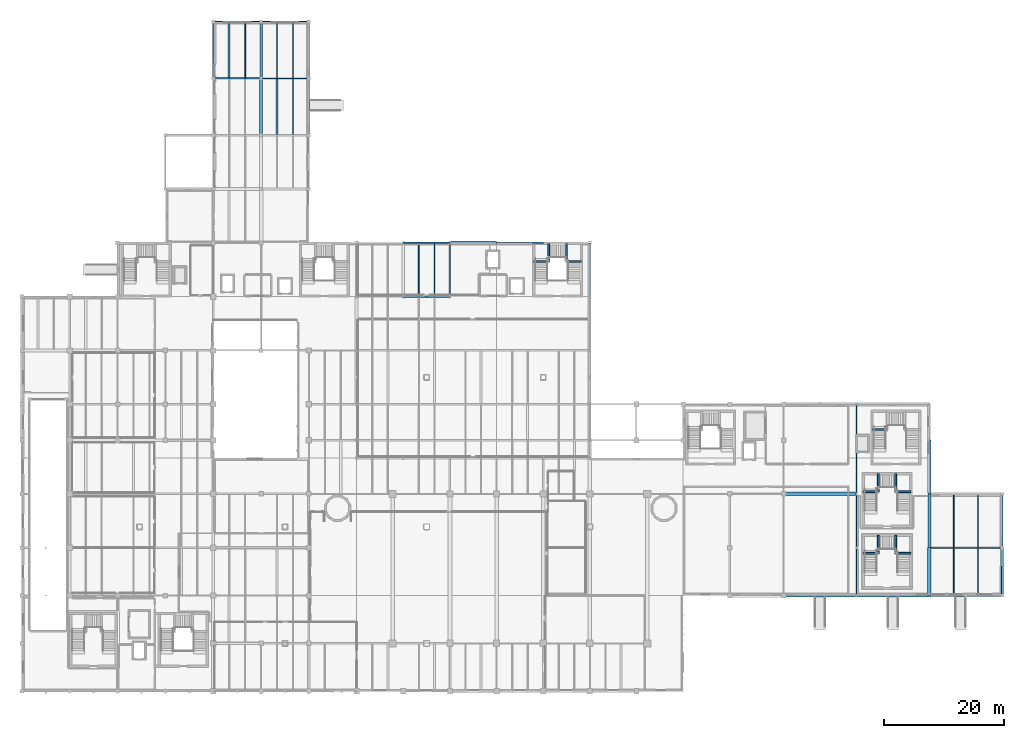
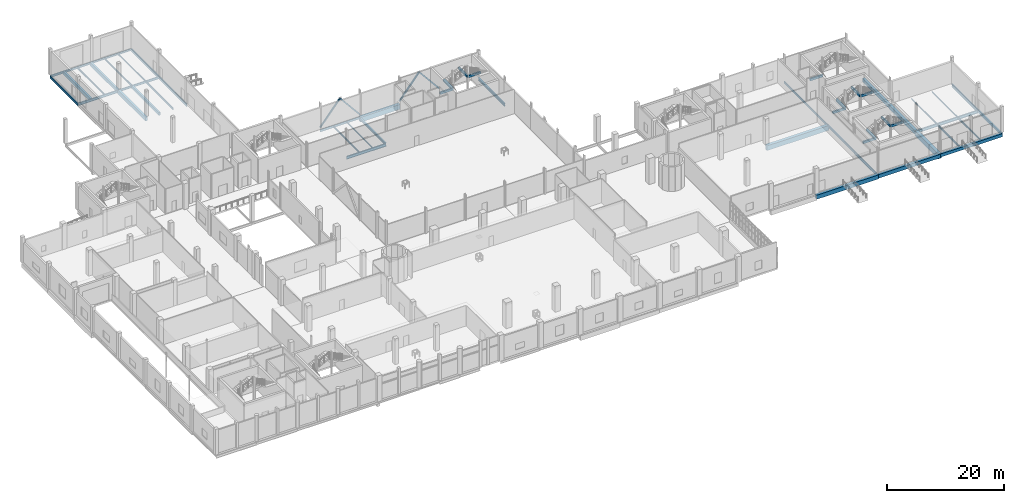
# One storey, part 28 of 57: 52 beams, 4 members.
"""IFC4 building model written with IfcOpenShell, lengths in metres."""

from ifc_helpers import new_model, si_unit, derived_unit, direction, frame, origin, origin_2d, place, context, subcontext, project, spatial, rectangle, hollow_rectangle, i_section, extrude, material, material_profile, profile_set, type_object, element, save


model = new_model("IFC4")

# Units and contexts
model_context = context("Model", 3, precision=1e-05, world=origin(), true_north=direction((0.0, 1.0)))
body_context = subcontext(model_context, "Body", "Model", "MODEL_VIEW")
ifc_project = project(units=[si_unit("LENGTHUNIT", "METRE"), si_unit("AREAUNIT", "SQUARE_METRE"), si_unit("VOLUMEUNIT", "CUBIC_METRE"), si_unit("PLANEANGLEUNIT", "RADIAN"), si_unit("MASSUNIT", "GRAM", prefix="KILO"), derived_unit("THERMALTRANSMITTANCEUNIT", [(si_unit("POWERUNIT", "WATT"), 1), (si_unit("LENGTHUNIT", "METRE"), -2), (si_unit("THERMODYNAMICTEMPERATUREUNIT", "KELVIN"), -1)])], contexts=[model_context])

# Site, building, storey
site_placement = place(None, origin())
site = spatial("IfcSite", under=ifc_project, at=site_placement, CompositionType="ELEMENT")
building_placement = place(site_placement, origin())
building = spatial("IfcBuilding", under=site, at=building_placement, Name="Nallur Shell Playhouse", CompositionType="ELEMENT")
storey_placement = place(building_placement, origin())
storey = spatial("IfcBuildingStorey", under=building, at=storey_placement, Name="L01", CompositionType="ELEMENT", Elevation=0.0)

# Beams
ifc_material_1 = material(Name="Steel E250", Category="steel")
ifc_material_profile_1 = material_profile(ifc_material_1, i_section(OverallWidth=0.125, OverallDepth=0.25, WebThickness=0.0068359375, FlangeThickness=0.012451171875, FilletRadius=0.012939453125, at=origin_2d()), Name="ISMB 250")
ifc_profile_set_1 = profile_set([ifc_material_profile_1], Name="Steel E250")
beam_type_1 = type_object("IfcBeamType", Name="BM-JST-ISMB250", PredefinedType="JOIST", material=ifc_profile_set_1)
beam_1_placement = place(storey_placement, frame((77.0, 74.10302734375, -0.52490234375), z_axis=(0.0, 1.0, 0.0), x_axis=(-1.0, 0.0, 0.0)))
element("IfcBeam", 1, at=beam_1_placement, inside=storey, type_object=beam_type_1, Name="L01 secondary joist 9-J-280", PredefinedType="JOIST", context=body_context, shape_type="SweptSolid", body=[
    extrude(i_section(OverallWidth=0.125, OverallDepth=0.25, WebThickness=0.0068359375, FlangeThickness=0.012451171875, FilletRadius=0.012939453125, at=origin_2d()), origin(), (0.0, 0.0, 1.0), 8.823974609375),
])
beam_2_placement = place(storey_placement, frame((167.933349609375, 32.123046875, -0.445068359375), z_axis=(0.0, 1.0, 0.0), x_axis=(-1.0, 0.0, 0.0)))
element("IfcBeam", 2, at=beam_2_placement, inside=storey, type_object=beam_type_1, Name="L01 secondary joist 19-D-310", PredefinedType="JOIST", context=body_context, shape_type="SweptSolid", body=[
    extrude(i_section(OverallWidth=0.125, OverallDepth=0.25, WebThickness=0.0068359375, FlangeThickness=0.012451171875, FilletRadius=0.012939453125, at=origin_2d()), origin(), (0.0, 0.0, 1.0), 8.62890625),
])
ifc_material_profile_2 = material_profile(ifc_material_1, i_section(OverallWidth=0.139892578125, OverallDepth=0.300048828125, WebThickness=0.0078125, FlangeThickness=0.01318359375, FilletRadius=0.013916015625, at=origin_2d()), Name="ISMB 300")
ifc_profile_set_2 = profile_set([ifc_material_profile_2], Name="Steel E250")
beam_type_2 = type_object("IfcBeamType", Name="BM-JST-ISMB300", PredefinedType="JOIST", material=ifc_profile_set_2)
beam_3_placement = place(storey_placement, frame((53.333251953125, 110.597900390625, -0.469970703125), z_axis=(0.0, 1.0, 0.0), x_axis=(-1.0, 0.0, 0.0)))
element("IfcBeam", 3, at=beam_3_placement, inside=storey, type_object=beam_type_2, Name="L01 secondary joist 6-N-249", PredefinedType="JOIST", context=body_context, shape_type="SweptSolid", body=[
    extrude(i_section(OverallWidth=0.139892578125, OverallDepth=0.300048828125, WebThickness=0.0078125, FlangeThickness=0.01318359375, FilletRadius=0.013916015625, at=origin_2d()), origin(), (0.0, 0.0, 1.0), 9.30419921875),
])
beam_4_placement = place(storey_placement, frame((74.39990234375, 74.10302734375, -0.550048828125), z_axis=(0.0, 1.0, 0.0), x_axis=(-1.0, 0.0, 0.0)))
element("IfcBeam", 4, at=beam_4_placement, inside=storey, type_object=beam_type_2, Name="L01 secondary joist 9-J-279", PredefinedType="JOIST", context=body_context, shape_type="SweptSolid", body=[
    extrude(i_section(OverallWidth=0.139892578125, OverallDepth=0.300048828125, WebThickness=0.0078125, FlangeThickness=0.01318359375, FilletRadius=0.013916015625, at=origin_2d()), origin(), (0.0, 0.0, 1.0), 8.823974609375),
])
beam_5_placement = place(storey_placement, frame((163.86669921875, 32.123046875, -0.469970703125), z_axis=(0.0, 1.0, 0.0), x_axis=(-1.0, 0.0, 0.0)))
element("IfcBeam", 5, at=beam_5_placement, inside=storey, type_object=beam_type_2, Name="L01 secondary joist 19-D-309", PredefinedType="JOIST", context=body_context, shape_type="SweptSolid", body=[
    extrude(i_section(OverallWidth=0.139892578125, OverallDepth=0.300048828125, WebThickness=0.0078125, FlangeThickness=0.01318359375, FilletRadius=0.013916015625, at=origin_2d()), origin(), (0.0, 0.0, 1.0), 8.62890625),
])
ifc_material_profile_3 = material_profile(ifc_material_1, i_section(OverallWidth=0.139892578125, OverallDepth=0.35009765625, WebThickness=0.008056640625, FlangeThickness=0.01416015625, FilletRadius=0.013916015625, at=origin_2d()), Name="ISMB 350")
ifc_profile_set_3 = profile_set([ifc_material_profile_3], Name="Steel E250")
beam_type_3 = type_object("IfcBeamType", Name="BM-JST-ISMB350", PredefinedType="JOIST", material=ifc_profile_set_3)
beam_6_placement = place(storey_placement, frame((50.666748046875, 110.597900390625, -0.4951171875), z_axis=(0.0, 1.0, 0.0), x_axis=(-1.0, 0.0, 0.0)))
element("IfcBeam", 6, at=beam_6_placement, inside=storey, type_object=beam_type_3, Name="L01 secondary joist 6-N-248", PredefinedType="JOIST", context=body_context, shape_type="SweptSolid", body=[
    extrude(i_section(OverallWidth=0.139892578125, OverallDepth=0.35009765625, WebThickness=0.008056640625, FlangeThickness=0.01416015625, FilletRadius=0.013916015625, at=origin_2d()), origin(), (0.0, 0.0, 1.0), 9.30419921875),
])
beam_7_placement = place(storey_placement, frame((167.933349609375, 24.197998046875, -0.4951171875), z_axis=(0.0, 1.0, 0.0), x_axis=(-1.0, 0.0, 0.0)))
element("IfcBeam", 7, at=beam_7_placement, inside=storey, type_object=beam_type_3, Name="L01 secondary joist 19-C-308", PredefinedType="JOIST", context=body_context, shape_type="SweptSolid", body=[
    extrude(i_section(OverallWidth=0.139892578125, OverallDepth=0.35009765625, WebThickness=0.008056640625, FlangeThickness=0.01416015625, FilletRadius=0.013916015625, at=origin_2d()), origin(), (0.0, 0.0, 1.0), 7.678955078125),
])
ifc_material_profile_4 = material_profile(ifc_material_1, i_section(OverallWidth=0.139892578125, OverallDepth=0.39990234375, WebThickness=0.0087890625, FlangeThickness=0.01611328125, FilletRadius=0.013916015625, at=origin_2d()), Name="ISMB 400")
ifc_profile_set_4 = profile_set([ifc_material_profile_4], Name="Steel E250")
beam_type_4 = type_object("IfcBeamType", Name="BM-JST-ISMB400", PredefinedType="JOIST", material=ifc_profile_set_4)
for number, where, z_axis, x_axis, name in (
    (8, (45.333251953125, 110.623046875, -0.52001953125), (0.0, 1.0, 0.0), (-1.0, 0.0, 0.0), "L01 secondary joist 5-N-235"),
    (9, (53.333251953125, 101.123046875, -0.52001953125), (0.0, 1.0, 0.0), (-1.0, 0.0, 0.0), "L01 secondary joist 6-M-247"),
):
    element("IfcBeam", number, at=place(storey_placement, frame(where, z_axis=z_axis, x_axis=x_axis)), inside=storey, type_object=beam_type_4, Name=name, PredefinedType="JOIST", context=body_context, shape_type="SweptSolid", body=[
        extrude(i_section(OverallWidth=0.139892578125, OverallDepth=0.39990234375, WebThickness=0.0087890625, FlangeThickness=0.01611328125, FilletRadius=0.013916015625, at=origin_2d()), origin(), (0.0, 0.0, 1.0), 9.279052734375),
    ])
beam_8_placement = place(storey_placement, frame((163.86669921875, 24.197998046875, -0.52001953125), z_axis=(0.0, 1.0, 0.0), x_axis=(-1.0, 0.0, 0.0)))
element("IfcBeam", 10, at=beam_8_placement, inside=storey, type_object=beam_type_4, Name="L01 secondary joist 19-C-307", PredefinedType="JOIST", context=body_context, shape_type="SweptSolid", body=[
    extrude(i_section(OverallWidth=0.139892578125, OverallDepth=0.39990234375, WebThickness=0.0087890625, FlangeThickness=0.01611328125, FilletRadius=0.013916015625, at=origin_2d()), origin(), (0.0, 0.0, 1.0), 7.678955078125),
])
ifc_material_2 = material(Name="Concrete M30", Category="concrete")
ifc_material_profile_5 = material_profile(ifc_material_2, rectangle(XDim=0.35009765625, YDim=0.60009765625, at=origin_2d()), Name="RC 350x600")
ifc_profile_set_5 = profile_set([ifc_material_profile_5], Name="Concrete M30")
beam_type_5 = type_object("IfcBeamType", Name="BM-RC-350x600", PredefinedType="JOIST", material=ifc_profile_set_5)
for number, where, z_axis, x_axis, name in (
    (11, (42.666748046875, 110.623046875, -0.6201171875), (0.0, 1.0, 0.0), (-1.0, 0.0, 0.0), "L01 secondary joist 5-N-234"),
    (12, (50.666748046875, 101.123046875, -0.6201171875), (0.0, 1.0, 0.0), (-1.0, 0.0, 0.0), "L01 secondary joist 6-M-246"),
):
    element("IfcBeam", number, at=place(storey_placement, frame(where, z_axis=z_axis, x_axis=x_axis)), inside=storey, type_object=beam_type_5, Name=name, PredefinedType="JOIST", context=body_context, shape_type="SweptSolid", body=[
        extrude(rectangle(XDim=0.35009765625, YDim=0.60009765625, at=origin_2d()), origin(), (0.0, 0.0, 1.0), 9.279052734375),
    ])
ifc_material_3 = material(Name="Concrete M35", Category="concrete")
ifc_material_profile_6 = material_profile(ifc_material_3, rectangle(XDim=0.39990234375, YDim=0.64990234375, at=origin_2d()), Name="RC 400x650")
ifc_profile_set_6 = profile_set([ifc_material_profile_6], Name="Concrete M35")
beam_type_6 = type_object("IfcBeamType", Name="BM-RC-400x650", PredefinedType="BEAM", material=ifc_profile_set_6)
beam_9_placement = place(storey_placement, frame((159.800048828125, 24.0, -0.64501953125), z_axis=(1.0, 0.0, 0.0), x_axis=(0.0, 1.0, 0.0)))
element("IfcBeam", 13, at=beam_9_placement, inside=storey, type_object=beam_type_6, Name="L01 girder X-C-31", PredefinedType="BEAM", context=body_context, shape_type="SweptSolid", body=[
    extrude(rectangle(XDim=0.39990234375, YDim=0.64990234375, at=origin_2d()), origin(), (0.0, 0.0, 1.0), 12.199951171875),
])
beam_10_placement = place(storey_placement, frame((48.0, 110.5, -0.64501953125), z_axis=(0.0, 1.0, 0.0), x_axis=(-1.0, 0.0, 0.0)))
element("IfcBeam", 14, at=beam_10_placement, inside=storey, type_object=beam_type_6, Name="L01 girder Y-6-127", PredefinedType="BEAM", context=body_context, shape_type="SweptSolid", body=[
    extrude(rectangle(XDim=0.39990234375, YDim=0.64990234375, at=origin_2d()), origin(), (0.0, 0.0, 1.0), 9.5),
])
ifc_material_profile_7 = material_profile(ifc_material_3, rectangle(XDim=0.449951171875, YDim=0.75, at=origin_2d()), Name="RC 450x750")
ifc_profile_set_7 = profile_set([ifc_material_profile_7], Name="Concrete M35")
beam_type_7 = type_object("IfcBeamType", Name="BM-RC-450x750", PredefinedType="BEAM", material=ifc_profile_set_7)
beam_11_placement = place(storey_placement, frame((147.60009765625, 24.0, -0.695068359375), z_axis=(1.0, 0.0, 0.0), x_axis=(0.0, 1.0, 0.0)))
element("IfcBeam", 15, at=beam_11_placement, inside=storey, type_object=beam_type_7, Name="L01 girder X-C-30", PredefinedType="BEAM", context=body_context, shape_type="SweptSolid", body=[
    extrude(rectangle(XDim=0.449951171875, YDim=0.75, at=origin_2d()), origin(), (0.0, 0.0, 1.0), 12.199951171875),
])
beam_12_placement = place(storey_placement, frame((48.0, 101.0, -0.695068359375), z_axis=(0.0, 1.0, 0.0), x_axis=(-1.0, 0.0, 0.0)))
element("IfcBeam", 16, at=beam_12_placement, inside=storey, type_object=beam_type_7, Name="L01 girder Y-6-126", PredefinedType="BEAM", context=body_context, shape_type="SweptSolid", body=[
    extrude(rectangle(XDim=0.449951171875, YDim=0.75, at=origin_2d()), origin(), (0.0, 0.0, 1.0), 9.5),
])
beam_13_placement = place(storey_placement, frame((159.800048828125, 41.0, -0.695068359375), z_axis=(0.0, 1.0, 0.0), x_axis=(-1.0, 0.0, 0.0)))
element("IfcBeam", 17, at=beam_13_placement, inside=storey, type_object=beam_type_7, Name="L01 girder Y-19-174", PredefinedType="BEAM", context=body_context, shape_type="SweptSolid", body=[
    extrude(rectangle(XDim=0.449951171875, YDim=0.75, at=origin_2d()), origin(), (0.0, 0.0, 1.0), 9.0),
])
ifc_material_4 = material(Name="Concrete M40", Category="concrete")
ifc_material_profile_8 = material_profile(ifc_material_4, rectangle(XDim=0.5, YDim=0.85009765625, at=origin_2d()), Name="RC 500x850")
ifc_profile_set_8 = profile_set([ifc_material_profile_8], Name="Concrete M40")
beam_type_8 = type_object("IfcBeamType", Name="BM-RC-500x850", PredefinedType="BEAM", material=ifc_profile_set_8)
beam_14_placement = place(storey_placement, frame((135.39990234375, 24.0, -0.7451171875), z_axis=(1.0, 0.0, 0.0), x_axis=(0.0, 1.0, 0.0)))
element("IfcBeam", 18, at=beam_14_placement, inside=storey, type_object=beam_type_8, Name="L01 girder X-C-29", PredefinedType="BEAM", context=body_context, shape_type="SweptSolid", body=[
    extrude(rectangle(XDim=0.5, YDim=0.85009765625, at=origin_2d()), origin(), (0.0, 0.0, 1.0), 12.2001953125),
])
beam_15_placement = place(storey_placement, frame((159.800048828125, 32.0, -0.7451171875), z_axis=(0.0, 1.0, 0.0), x_axis=(-1.0, 0.0, 0.0)))
element("IfcBeam", 19, at=beam_15_placement, inside=storey, type_object=beam_type_8, Name="L01 girder Y-19-173", PredefinedType="BEAM", context=body_context, shape_type="SweptSolid", body=[
    extrude(rectangle(XDim=0.5, YDim=0.85009765625, at=origin_2d()), origin(), (0.0, 0.0, 1.0), 9.0),
])
ifc_material_profile_9 = material_profile(ifc_material_4, rectangle(XDim=0.60009765625, YDim=1.0, at=origin_2d()), Name="RC 600x1000")
ifc_profile_set_9 = profile_set([ifc_material_profile_9], Name="Concrete M40")
beam_type_9 = type_object("IfcBeamType", Name="BM-RC-600x1000", PredefinedType="BEAM", material=ifc_profile_set_9)
beam_16_placement = place(storey_placement, frame((135.39990234375, 41.0, -0.820068359375), z_axis=(1.0, 0.0, 0.0), x_axis=(0.0, 1.0, 0.0)))
element("IfcBeam", 20, at=beam_16_placement, inside=storey, type_object=beam_type_9, Name="L01 girder X-E-44", PredefinedType="BEAM", context=body_context, shape_type="SweptSolid", body=[
    extrude(rectangle(XDim=0.60009765625, YDim=1.0, at=origin_2d()), origin(), (0.0, 0.0, 1.0), 12.2001953125),
])
beam_17_placement = place(storey_placement, frame((79.60009765625, 83.0, -0.820068359375), z_axis=(1.0, 0.0, 0.0), x_axis=(0.0, 1.0, 0.0)))
element("IfcBeam", 21, at=beam_17_placement, inside=storey, type_object=beam_type_9, Name="L01 girder X-K-76", PredefinedType="BEAM", context=body_context, shape_type="SweptSolid", body=[
    extrude(rectangle(XDim=0.60009765625, YDim=1.0, at=origin_2d()), origin(), (0.0, 0.0, 1.0), 7.7998046875),
])
beam_18_placement = place(storey_placement, frame((159.800048828125, 24.0, -0.820068359375), z_axis=(0.0, 1.0, 0.0), x_axis=(-1.0, 0.0, 0.0)))
element("IfcBeam", 22, at=beam_18_placement, inside=storey, type_object=beam_type_9, Name="L01 girder Y-19-172", PredefinedType="BEAM", context=body_context, shape_type="SweptSolid", body=[
    extrude(rectangle(XDim=0.60009765625, YDim=1.0, at=origin_2d()), origin(), (0.0, 0.0, 1.0), 8.0),
])
ifc_material_profile_10 = material_profile(ifc_material_3, rectangle(XDim=0.300048828125, YDim=0.449951171875, at=origin_2d()), Name="RC 300x450")
ifc_profile_set_10 = profile_set([ifc_material_profile_10], Name="Concrete M35")
beam_type_10 = type_object("IfcBeamType", Name="BM-SPN-300x450", PredefinedType="SPANDREL", material=ifc_profile_set_10)
beam_19_placement = place(storey_placement, frame((172.0, 24.0, -0.544921875), z_axis=(0.0, 1.0, 0.0), x_axis=(-1.0, 0.0, 0.0)))
element("IfcBeam", 23, at=beam_19_placement, inside=storey, type_object=beam_type_10, Name="L01 girder Y-20-176", PredefinedType="SPANDREL", context=body_context, shape_type="SweptSolid", body=[
    extrude(rectangle(XDim=0.300048828125, YDim=0.449951171875, at=origin_2d()), origin(), (0.0, 0.0, 1.0), 8.0),
])
beam_20_placement = place(storey_placement, frame((93.6201171875, 79.8798828125, 1.580810546875), z_axis=(1.0, 0.0, 0.0), x_axis=(0.0, 1.0, 0.0)))
element("IfcBeam", 24, at=beam_20_placement, inside=storey, type_object=beam_type_10, Name="Stair ST-04-L01 L1 south bearer beam", PredefinedType="SPANDREL", context=body_context, shape_type="SweptSolid", body=[
    extrude(rectangle(XDim=0.300048828125, YDim=0.449951171875, at=origin_2d()), origin(), (0.0, 0.0, 1.0), 2.559814453125),
])
beam_21_placement = place(storey_placement, frame((96.1201171875, 79.8798828125, 1.580810546875), z_axis=(0.0, 1.0, 0.0), x_axis=(-1.0, 0.0, 0.0)))
element("IfcBeam", 25, at=beam_21_placement, inside=storey, type_object=beam_type_10, Name="Stair ST-04-L01 L1 east bearer beam", PredefinedType="SPANDREL", context=body_context, shape_type="SweptSolid", body=[
    extrude(rectangle(XDim=0.300048828125, YDim=0.449951171875, at=origin_2d()), origin(), (0.0, 0.0, 1.0), 3.0),
])
beam_22_placement = place(storey_placement, frame((99.02001953125, 79.8798828125, 3.12353515625), z_axis=(1.0, 0.0, 0.0), x_axis=(0.0, 1.0, 0.0)))
element("IfcBeam", 26, at=beam_22_placement, inside=storey, type_object=beam_type_10, Name="Stair ST-04-L01 L2 south bearer beam", PredefinedType="SPANDREL", context=body_context, shape_type="SweptSolid", body=[
    extrude(rectangle(XDim=0.300048828125, YDim=0.449951171875, at=origin_2d()), origin(), (0.0, 0.0, 1.0), 2.56005859375),
])
beam_23_placement = place(storey_placement, frame((99.080078125, 79.8798828125, 3.12353515625), z_axis=(0.0, 1.0, 0.0), x_axis=(-1.0, 0.0, 0.0)))
element("IfcBeam", 27, at=beam_23_placement, inside=storey, type_object=beam_type_10, Name="Stair ST-04-L01 L2 west bearer beam", PredefinedType="SPANDREL", context=body_context, shape_type="SweptSolid", body=[
    extrude(rectangle(XDim=0.300048828125, YDim=0.449951171875, at=origin_2d()), origin(), (0.0, 0.0, 1.0), 3.0),
])
for number, where, z_axis, x_axis, name in (
    (28, (150.219970703125, 51.780029296875, 1.580810546875), (1.0, 0.0, 0.0), (0.0, 1.0, 0.0), "Stair ST-05-L01 L1 south bearer beam"),
    (29, (148.719970703125, 31.080078125, 1.580810546875), (1.0, 0.0, 0.0), (0.0, 1.0, 0.0), "Stair ST-08-L01 L1 south bearer beam"),
):
    element("IfcBeam", number, at=place(storey_placement, frame(where, z_axis=z_axis, x_axis=x_axis)), inside=storey, type_object=beam_type_10, Name=name, PredefinedType="SPANDREL", context=body_context, shape_type="SweptSolid", body=[
        extrude(rectangle(XDim=0.300048828125, YDim=0.449951171875, at=origin_2d()), origin(), (0.0, 0.0, 1.0), 2.56005859375),
    ])
beam_24_placement = place(storey_placement, frame((151.219970703125, 31.080078125, 1.580810546875), z_axis=(0.0, 1.0, 0.0), x_axis=(-1.0, 0.0, 0.0)))
element("IfcBeam", 30, at=beam_24_placement, inside=storey, type_object=beam_type_10, Name="Stair ST-08-L01 L1 east bearer beam", PredefinedType="SPANDREL", context=body_context, shape_type="SweptSolid", body=[
    extrude(rectangle(XDim=0.300048828125, YDim=0.449951171875, at=origin_2d()), origin(), (0.0, 0.0, 1.0), 3.0),
])
beam_25_placement = place(storey_placement, frame((154.1201171875, 31.080078125, 3.12353515625), z_axis=(1.0, 0.0, 0.0), x_axis=(0.0, 1.0, 0.0)))
element("IfcBeam", 31, at=beam_25_placement, inside=storey, type_object=beam_type_10, Name="Stair ST-08-L01 L2 south bearer beam", PredefinedType="SPANDREL", context=body_context, shape_type="SweptSolid", body=[
    extrude(rectangle(XDim=0.300048828125, YDim=0.449951171875, at=origin_2d()), origin(), (0.0, 0.0, 1.0), 2.559814453125),
])
beam_26_placement = place(storey_placement, frame((154.179931640625, 31.080078125, 3.12353515625), z_axis=(0.0, 1.0, 0.0), x_axis=(-1.0, 0.0, 0.0)))
element("IfcBeam", 32, at=beam_26_placement, inside=storey, type_object=beam_type_10, Name="Stair ST-08-L01 L2 west bearer beam", PredefinedType="SPANDREL", context=body_context, shape_type="SweptSolid", body=[
    extrude(rectangle(XDim=0.300048828125, YDim=0.449951171875, at=origin_2d()), origin(), (0.0, 0.0, 1.0), 3.0),
])
beam_27_placement = place(storey_placement, frame((148.719970703125, 41.3798828125, 1.580810546875), z_axis=(1.0, 0.0, 0.0), x_axis=(0.0, 1.0, 0.0)))
element("IfcBeam", 33, at=beam_27_placement, inside=storey, type_object=beam_type_10, Name="Stair ST-09-L01 L1 south bearer beam", PredefinedType="SPANDREL", context=body_context, shape_type="SweptSolid", body=[
    extrude(rectangle(XDim=0.300048828125, YDim=0.449951171875, at=origin_2d()), origin(), (0.0, 0.0, 1.0), 2.56005859375),
])
beam_28_placement = place(storey_placement, frame((151.219970703125, 41.3798828125, 1.580810546875), z_axis=(0.0, 1.0, 0.0), x_axis=(-1.0, 0.0, 0.0)))
element("IfcBeam", 34, at=beam_28_placement, inside=storey, type_object=beam_type_10, Name="Stair ST-09-L01 L1 east bearer beam", PredefinedType="SPANDREL", context=body_context, shape_type="SweptSolid", body=[
    extrude(rectangle(XDim=0.300048828125, YDim=0.449951171875, at=origin_2d()), origin(), (0.0, 0.0, 1.0), 3.0),
])
beam_29_placement = place(storey_placement, frame((154.1201171875, 41.3798828125, 3.12353515625), z_axis=(1.0, 0.0, 0.0), x_axis=(0.0, 1.0, 0.0)))
element("IfcBeam", 35, at=beam_29_placement, inside=storey, type_object=beam_type_10, Name="Stair ST-09-L01 L2 south bearer beam", PredefinedType="SPANDREL", context=body_context, shape_type="SweptSolid", body=[
    extrude(rectangle(XDim=0.300048828125, YDim=0.449951171875, at=origin_2d()), origin(), (0.0, 0.0, 1.0), 2.559814453125),
])
beam_30_placement = place(storey_placement, frame((154.179931640625, 41.3798828125, 3.12353515625), z_axis=(0.0, 1.0, 0.0), x_axis=(-1.0, 0.0, 0.0)))
element("IfcBeam", 36, at=beam_30_placement, inside=storey, type_object=beam_type_10, Name="Stair ST-09-L01 L2 west bearer beam", PredefinedType="SPANDREL", context=body_context, shape_type="SweptSolid", body=[
    extrude(rectangle(XDim=0.300048828125, YDim=0.449951171875, at=origin_2d()), origin(), (0.0, 0.0, 1.0), 3.0),
])
ifc_material_5 = material(Name="Steel E350", Category="steel")
ifc_material_profile_11 = material_profile(ifc_material_5, i_section(OverallWidth=0.14990234375, OverallDepth=0.449951171875, WebThickness=0.009521484375, FlangeThickness=0.017333984375, FilletRadius=0.014892578125, at=origin_2d()), Name="ISMB 450")
ifc_profile_set_11 = profile_set([ifc_material_profile_11], Name="Steel E350")
beam_type_11 = type_object("IfcBeamType", Name="BM-ST-ISMB450", PredefinedType="BEAM", material=ifc_profile_set_11)
beam_31_placement = place(storey_placement, frame((71.800048828125, 83.0, -0.544921875), z_axis=(1.0, 0.0, 0.0), x_axis=(0.0, 1.0, 0.0)))
element("IfcBeam", 37, at=beam_31_placement, inside=storey, type_object=beam_type_11, Name="L01 girder X-K-75", PredefinedType="BEAM", context=body_context, shape_type="SweptSolid", body=[
    extrude(i_section(OverallWidth=0.14990234375, OverallDepth=0.449951171875, WebThickness=0.009521484375, FlangeThickness=0.017333984375, FilletRadius=0.014892578125, at=origin_2d()), origin(), (0.0, 0.0, 1.0), 7.800048828125),
])
beam_32_placement = place(storey_placement, frame((147.60009765625, 41.0, -0.544921875), z_axis=(0.0, 1.0, 0.0), x_axis=(-1.0, 0.0, 0.0)))
element("IfcBeam", 38, at=beam_32_placement, inside=storey, type_object=beam_type_11, Name="L01 girder Y-18-171", PredefinedType="BEAM", context=body_context, shape_type="SweptSolid", body=[
    extrude(i_section(OverallWidth=0.14990234375, OverallDepth=0.449951171875, WebThickness=0.009521484375, FlangeThickness=0.017333984375, FilletRadius=0.014892578125, at=origin_2d()), origin(), (0.0, 0.0, 1.0), 15.0),
])
ifc_material_profile_12 = material_profile(ifc_material_5, i_section(OverallWidth=0.179931640625, OverallDepth=0.5, WebThickness=0.01025390625, FlangeThickness=0.01708984375, FilletRadius=0.01708984375, at=origin_2d()), Name="ISMB 500")
ifc_profile_set_12 = profile_set([ifc_material_profile_12], Name="Steel E350")
beam_type_12 = type_object("IfcBeamType", Name="BM-ST-ISMB500", PredefinedType="BEAM", material=ifc_profile_set_12)
beam_33_placement = place(storey_placement, frame((147.60009765625, 32.0, -0.570068359375), z_axis=(0.0, 1.0, 0.0), x_axis=(-1.0, 0.0, 0.0)))
element("IfcBeam", 39, at=beam_33_placement, inside=storey, type_object=beam_type_12, Name="L01 girder Y-18-170", PredefinedType="BEAM", context=body_context, shape_type="SweptSolid", body=[
    extrude(i_section(OverallWidth=0.179931640625, OverallDepth=0.5, WebThickness=0.01025390625, FlangeThickness=0.01708984375, FilletRadius=0.01708984375, at=origin_2d()), origin(), (0.0, 0.0, 1.0), 9.0),
])
ifc_material_profile_13 = material_profile(ifc_material_5, i_section(OverallWidth=0.18994140625, OverallDepth=0.550048828125, WebThickness=0.01123046875, FlangeThickness=0.019287109375, FilletRadius=0.01806640625, at=origin_2d()), Name="ISMB 550")
ifc_profile_set_13 = profile_set([ifc_material_profile_13], Name="Steel E350")
beam_type_13 = type_object("IfcBeamType", Name="BM-ST-ISMB550", PredefinedType="BEAM", material=ifc_profile_set_13)
for number, where, z_axis, x_axis, name in (
    (40, (40.0, 110.5, -0.594970703125), (0.0, 1.0, 0.0), (-1.0, 0.0, 0.0), "L01 girder Y-5-121"),
    (41, (56.0, 110.5, -0.594970703125), (0.0, 1.0, 0.0), (-1.0, 0.0, 0.0), "L01 girder Y-7-137"),
):
    element("IfcBeam", number, at=place(storey_placement, frame(where, z_axis=z_axis, x_axis=x_axis)), inside=storey, type_object=beam_type_13, Name=name, PredefinedType="BEAM", context=body_context, shape_type="SweptSolid", body=[
        extrude(i_section(OverallWidth=0.18994140625, OverallDepth=0.550048828125, WebThickness=0.01123046875, FlangeThickness=0.019287109375, FilletRadius=0.01806640625, at=origin_2d()), origin(), (0.0, 0.0, 1.0), 9.5),
    ])
beam_34_placement = place(storey_placement, frame((147.60009765625, 24.0, -0.594970703125), z_axis=(0.0, 1.0, 0.0), x_axis=(-1.0, 0.0, 0.0)))
element("IfcBeam", 42, at=beam_34_placement, inside=storey, type_object=beam_type_13, Name="L01 girder Y-18-169", PredefinedType="BEAM", context=body_context, shape_type="SweptSolid", body=[
    extrude(i_section(OverallWidth=0.18994140625, OverallDepth=0.550048828125, WebThickness=0.01123046875, FlangeThickness=0.019287109375, FilletRadius=0.01806640625, at=origin_2d()), origin(), (0.0, 0.0, 1.0), 8.0),
])
ifc_material_profile_14 = material_profile(ifc_material_5, i_section(OverallWidth=0.2099609375, OverallDepth=0.60009765625, WebThickness=0.011962890625, FlangeThickness=0.020751953125, FilletRadius=0.02001953125, at=origin_2d()), Name="ISMB 600")
ifc_profile_set_14 = profile_set([ifc_material_profile_14], Name="Steel E350")
beam_type_14 = type_object("IfcBeamType", Name="BM-ST-ISMB600", PredefinedType="BEAM", material=ifc_profile_set_14)
beam_35_placement = place(storey_placement, frame((71.800048828125, 74.0, -0.699951171875), z_axis=(1.0, 0.0, 0.0), x_axis=(0.0, 1.0, 0.0)))
element("IfcBeam", 43, at=beam_35_placement, inside=storey, type_object=beam_type_14, Name="L01 girder X-J-72", PredefinedType="BEAM", context=body_context, shape_type="SweptSolid", body=[
    extrude(i_section(OverallWidth=0.2099609375, OverallDepth=0.60009765625, WebThickness=0.011962890625, FlangeThickness=0.020751953125, FilletRadius=0.02001953125, at=origin_2d()), origin(), (0.0, 0.0, 1.0), 7.800048828125),
])
beam_36_placement = place(storey_placement, frame((56.0, 101.0, -0.6201171875), z_axis=(0.0, 1.0, 0.0), x_axis=(-1.0, 0.0, 0.0)))
element("IfcBeam", 44, at=beam_36_placement, inside=storey, type_object=beam_type_14, Name="L01 girder Y-7-136", PredefinedType="BEAM", context=body_context, shape_type="SweptSolid", body=[
    extrude(i_section(OverallWidth=0.2099609375, OverallDepth=0.60009765625, WebThickness=0.011962890625, FlangeThickness=0.020751953125, FilletRadius=0.02001953125, at=origin_2d()), origin(), (0.0, 0.0, 1.0), 9.5),
])
ifc_material_profile_15 = material_profile(ifc_material_5, i_section(OverallWidth=0.199951171875, OverallDepth=0.35009765625, WebThickness=0.008056640625, FlangeThickness=0.011474609375, FilletRadius=0.011962890625, at=origin_2d()), Name="ISWB 350")
ifc_profile_set_15 = profile_set([ifc_material_profile_15], Name="Steel E350")
beam_type_15 = type_object("IfcBeamType", Name="BM-ST-ISWB350", PredefinedType="BEAM", material=ifc_profile_set_15)
beam_37_placement = place(storey_placement, frame((48.0, 120.0, -0.4951171875), z_axis=(1.0, 0.0, 0.0), x_axis=(0.0, 1.0, 0.0)))
element("IfcBeam", 45, at=beam_37_placement, inside=storey, type_object=beam_type_15, Name="L01 girder X-P-86", PredefinedType="BEAM", context=body_context, shape_type="SweptSolid", body=[
    extrude(i_section(OverallWidth=0.199951171875, OverallDepth=0.35009765625, WebThickness=0.008056640625, FlangeThickness=0.011474609375, FilletRadius=0.011962890625, at=origin_2d()), origin(), (0.0, 0.0, 1.0), 8.0),
])
ifc_material_profile_16 = material_profile(ifc_material_5, i_section(OverallWidth=0.199951171875, OverallDepth=0.39990234375, WebThickness=0.008544921875, FlangeThickness=0.012939453125, FilletRadius=0.012939453125, at=origin_2d()), Name="ISWB 400")
ifc_profile_set_16 = profile_set([ifc_material_profile_16], Name="Steel E350")
beam_type_16 = type_object("IfcBeamType", Name="BM-ST-ISWB400", PredefinedType="BEAM", material=ifc_profile_set_16)
beam_38_placement = place(storey_placement, frame((40.0, 120.0, -0.52001953125), z_axis=(1.0, 0.0, 0.0), x_axis=(0.0, 1.0, 0.0)))
element("IfcBeam", 46, at=beam_38_placement, inside=storey, type_object=beam_type_16, Name="L01 girder X-P-85", PredefinedType="BEAM", context=body_context, shape_type="SweptSolid", body=[
    extrude(i_section(OverallWidth=0.199951171875, OverallDepth=0.39990234375, WebThickness=0.008544921875, FlangeThickness=0.012939453125, FilletRadius=0.012939453125, at=origin_2d()), origin(), (0.0, 0.0, 1.0), 8.0),
])
ifc_material_profile_17 = material_profile(ifc_material_5, i_section(OverallWidth=0.199951171875, OverallDepth=0.449951171875, WebThickness=0.00927734375, FlangeThickness=0.015380859375, FilletRadius=0.013916015625, at=origin_2d()), Name="ISWB 450")
ifc_profile_set_17 = profile_set([ifc_material_profile_17], Name="Steel E350")
beam_type_17 = type_object("IfcBeamType", Name="BM-ST-ISWB450", PredefinedType="BEAM", material=ifc_profile_set_17)
beam_39_placement = place(storey_placement, frame((48.0, 110.5, -0.544921875), z_axis=(1.0, 0.0, 0.0), x_axis=(0.0, 1.0, 0.0)))
element("IfcBeam", 47, at=beam_39_placement, inside=storey, type_object=beam_type_17, Name="L01 girder X-N-84", PredefinedType="BEAM", context=body_context, shape_type="SweptSolid", body=[
    extrude(i_section(OverallWidth=0.199951171875, OverallDepth=0.449951171875, WebThickness=0.00927734375, FlangeThickness=0.015380859375, FilletRadius=0.013916015625, at=origin_2d()), origin(), (0.0, 0.0, 1.0), 8.0),
])
ifc_material_profile_18 = material_profile(ifc_material_5, i_section(OverallWidth=0.25, OverallDepth=0.5, WebThickness=0.010009765625, FlangeThickness=0.0146484375, FilletRadius=0.014892578125, at=origin_2d()), Name="ISWB 500")
ifc_profile_set_18 = profile_set([ifc_material_profile_18], Name="Steel E350")
beam_type_18 = type_object("IfcBeamType", Name="BM-ST-ISWB500", PredefinedType="BEAM", material=ifc_profile_set_18)
beam_40_placement = place(storey_placement, frame((40.0, 110.5, -0.570068359375), z_axis=(1.0, 0.0, 0.0), x_axis=(0.0, 1.0, 0.0)))
element("IfcBeam", 48, at=beam_40_placement, inside=storey, type_object=beam_type_18, Name="L01 girder X-N-83", PredefinedType="BEAM", context=body_context, shape_type="SweptSolid", body=[
    extrude(i_section(OverallWidth=0.25, OverallDepth=0.5, WebThickness=0.010009765625, FlangeThickness=0.0146484375, FilletRadius=0.014892578125, at=origin_2d()), origin(), (0.0, 0.0, 1.0), 8.0),
])
beam_41_placement = place(storey_placement, frame((79.60009765625, 74.0, -0.64990234375), z_axis=(0.0, 1.0, 0.0), x_axis=(-1.0, 0.0, 0.0)))
element("IfcBeam", 49, at=beam_41_placement, inside=storey, type_object=beam_type_18, Name="L01 girder Y-10-147", PredefinedType="BEAM", context=body_context, shape_type="SweptSolid", body=[
    extrude(i_section(OverallWidth=0.25, OverallDepth=0.5, WebThickness=0.010009765625, FlangeThickness=0.0146484375, FilletRadius=0.014892578125, at=origin_2d()), origin(), (0.0, 0.0, 1.0), 9.0),
])
ifc_material_profile_19 = material_profile(ifc_material_5, i_section(OverallWidth=0.25, OverallDepth=0.60009765625, WebThickness=0.01171875, FlangeThickness=0.023681640625, FilletRadius=0.01708984375, at=origin_2d()), Name="ISWB 600")
ifc_profile_set_19 = profile_set([ifc_material_profile_19], Name="Steel E350")
beam_type_19 = type_object("IfcBeamType", Name="BM-ST-ISWB600", PredefinedType="BEAM", material=ifc_profile_set_19)
beam_42_placement = place(storey_placement, frame((159.800048828125, 32.0, -0.6201171875), z_axis=(1.0, 0.0, 0.0), x_axis=(0.0, 1.0, 0.0)))
element("IfcBeam", 50, at=beam_42_placement, inside=storey, type_object=beam_type_19, Name="L01 girder X-D-33", PredefinedType="BEAM", context=body_context, shape_type="SweptSolid", body=[
    extrude(i_section(OverallWidth=0.25, OverallDepth=0.60009765625, WebThickness=0.01171875, FlangeThickness=0.023681640625, FilletRadius=0.01708984375, at=origin_2d()), origin(), (0.0, 0.0, 1.0), 12.199951171875),
])
for number, where, z_axis, x_axis, name in (
    (51, (103.0, 74.0, -0.6201171875), (0.0, 1.0, 0.0), (-1.0, 0.0, 0.0), "L01 girder Y-13-161"),
    (52, (172.0, 32.0, -0.6201171875), (0.0, 1.0, 0.0), (-1.0, 0.0, 0.0), "L01 girder Y-20-177"),
):
    element("IfcBeam", number, at=place(storey_placement, frame(where, z_axis=z_axis, x_axis=x_axis)), inside=storey, type_object=beam_type_19, Name=name, PredefinedType="BEAM", context=body_context, shape_type="SweptSolid", body=[
        extrude(i_section(OverallWidth=0.25, OverallDepth=0.60009765625, WebThickness=0.01171875, FlangeThickness=0.023681640625, FilletRadius=0.01708984375, at=origin_2d()), origin(), (0.0, 0.0, 1.0), 9.0),
    ])

# Members
ifc_material_profile_20 = material_profile(ifc_material_5, hollow_rectangle(XDim=0.25, YDim=0.25, WallThickness=0.011962890625, at=origin_2d()), Name="SHS 250x250x12")
ifc_profile_set_20 = profile_set([ifc_material_profile_20], Name="Steel E350")
member_type = type_object("IfcMemberType", Name="MB-FT-BRACE1", PredefinedType="BRACE", material=ifc_profile_set_20)
member_1_placement = place(storey_placement, frame((71.800048828125, 83.0, 0.14990234375), z_axis=(0.636939149771, 0.0, 0.770914080485), x_axis=(0.0, 1.0, 0.0)))
element("IfcMember", 53, at=member_1_placement, inside=storey, type_object=member_type, Name="Stage fly tower concentric brace BR-FT-L01-005", PredefinedType="BRACE", context=body_context, shape_type="SweptSolid", body=[
    extrude(hollow_rectangle(XDim=0.25, YDim=0.25, WallThickness=0.011962890625, at=origin_2d()), origin(), (0.0, 0.0, 1.0), 6.122802734375),
])
for number, where, z_axis, x_axis, name in (
    (54, (79.60009765625, 83.0, 0.14990234375), (-0.636962846023, 0.0, 0.770894501722), (0.0, -1.0, 0.0), "Stage fly tower concentric brace BR-FT-L01-006"),
    (55, (87.39990234375, 83.0, 0.14990234375), (0.636962846023, 0.0, 0.770894501722), (0.0, 1.0, 0.0), "Stage fly tower concentric brace BR-FT-L01-007"),
):
    element("IfcMember", number, at=place(storey_placement, frame(where, z_axis=z_axis, x_axis=x_axis)), inside=storey, type_object=member_type, Name=name, PredefinedType="BRACE", context=body_context, shape_type="SweptSolid", body=[
        extrude(hollow_rectangle(XDim=0.25, YDim=0.25, WallThickness=0.011962890625, at=origin_2d()), origin(), (0.0, 0.0, 1.0), 6.123046875),
    ])
member_2_placement = place(storey_placement, frame((95.199951171875, 83.0, 0.14990234375), z_axis=(-0.636939149771, 0.0, 0.770914080485), x_axis=(0.0, -1.0, 0.0)))
element("IfcMember", 56, at=member_2_placement, inside=storey, type_object=member_type, Name="Stage fly tower concentric brace BR-FT-L01-008", PredefinedType="BRACE", context=body_context, shape_type="SweptSolid", body=[
    extrude(hollow_rectangle(XDim=0.25, YDim=0.25, WallThickness=0.011962890625, at=origin_2d()), origin(), (0.0, 0.0, 1.0), 6.122802734375),
])

save(model, "model.ifc")
